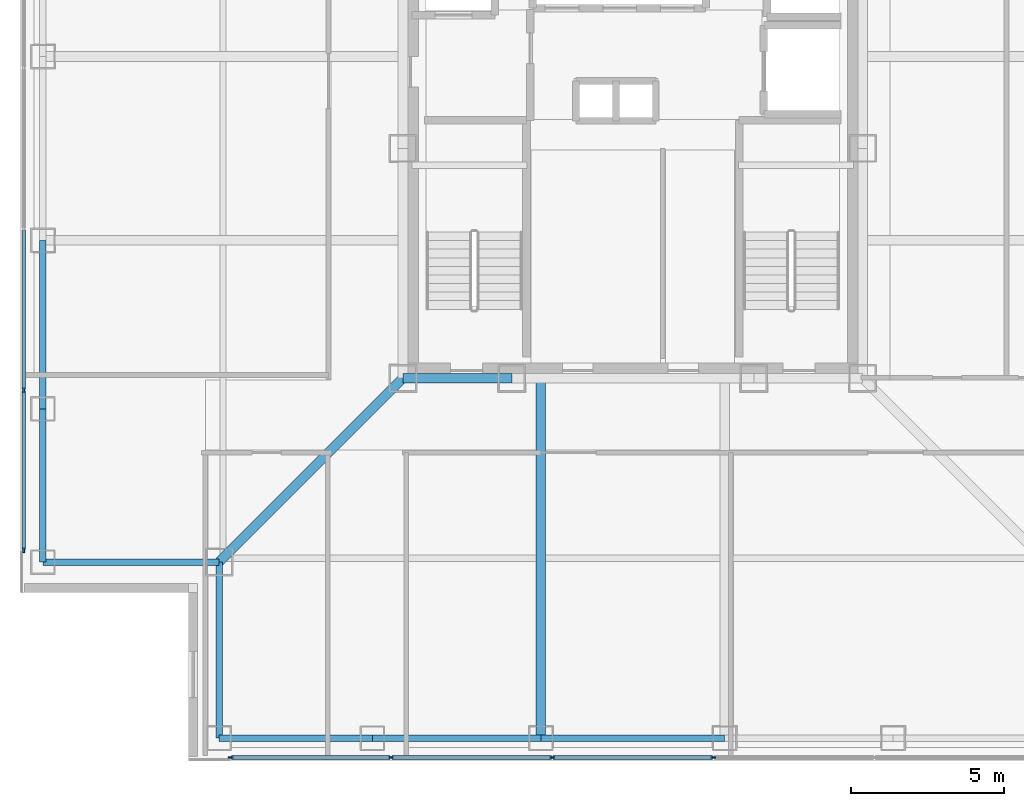
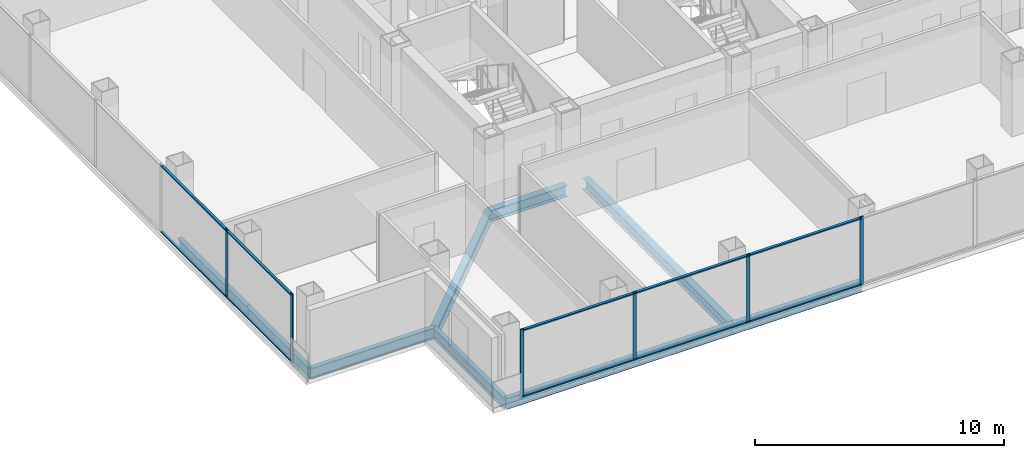
# One storey, part 2 of 18: 16 members, 10 beams, 2 elements without a shape of their own.
"""IFC4 building model written with IfcOpenShell, lengths in metres."""

import ifcopenshell
import ifcopenshell.guid

model = None  # the IFC model being written
_history = None  # IfcOwnerHistory: only IFC2X3 demands one
_inside = {}  # id of a spatial element -> (the spatial element, [elements in it])
_under = {}  # id of a project, library or spatial element -> (it, [spatial elements below it])
_declared = {}  # id of a project -> (the project, [libraries it declares])
_typed = {}  # id of a type object -> (the type object, [elements of that type])
_made_of = {}  # id of a material, layer set ... -> (it, [elements and type objects made of it])


def new_model(schema):
    """Start an empty IFC model of exactly this schema.

    Asked for "IFC4X3", IfcOpenShell would pick the latest addendum, in which some entities
    have other attributes; the version numbers below select the first issue.
    IFC2X3 requires an IfcOwnerHistory on every rooted entity: one is made here for all.
    """
    global model, _history
    if schema == "IFC4X3":
        model = ifcopenshell.file(schema_version=(4, 3, 0, 0))
    else:
        model = ifcopenshell.file(schema=schema)
    _inside.clear()
    _under.clear()
    _declared.clear()
    _typed.clear()
    _made_of.clear()
    _history = None
    if model.schema == "IFC2X3":
        org = make("IfcOrganization", Name="unknown")
        user = make(
            "IfcPersonAndOrganization",
            ThePerson=make("IfcPerson", FamilyName="unknown"),
            TheOrganization=org,
        )
        app = make(
            "IfcApplication",
            ApplicationDeveloper=org,
            Version="unknown",
            ApplicationFullName="unknown",
            ApplicationIdentifier="unknown",
        )
        _history = make(
            "IfcOwnerHistory",
            OwningUser=user,
            OwningApplication=app,
            ChangeAction="ADDED",
            CreationDate=0,
        )
    return model


def make(cls, **values):
    """One entity of the class cls with the attributes given. An attribute that is None is left unset."""
    return model.create_entity(
        cls, **{name: value for name, value in values.items() if value is not None}
    )


def rooted(cls, **values):
    """An entity with a GlobalId (a new one), such as an element, a storey or a relation."""
    return make(cls, GlobalId=ifcopenshell.guid.new(), OwnerHistory=_history, **values)


def si_unit(unit_type, name, prefix=None):
    """IfcSIUnit, for example si_unit("LENGTHUNIT", "METRE", prefix="MILLI")."""
    return make("IfcSIUnit", UnitType=unit_type, Prefix=prefix, Name=name)


def assignment(units):
    """IfcUnitAssignment: the units of a project."""
    return None if units is None else make("IfcUnitAssignment", Units=units)


def point(xyz):
    """IfcCartesianPoint."""
    return None if xyz is None else make("IfcCartesianPoint", Coordinates=xyz)


def direction(xyz):
    """IfcDirection."""
    return None if xyz is None else make("IfcDirection", DirectionRatios=xyz)


def frame(location, z_axis=None, x_axis=None):
    """IfcAxis2Placement3D, a coordinate frame: its origin and axes. An axis left out is left unset."""
    return make(
        "IfcAxis2Placement3D",
        Location=point(location),
        Axis=direction(z_axis),
        RefDirection=direction(x_axis),
    )


def frame_2d(location, x_axis=None):
    """IfcAxis2Placement2D, a coordinate frame in the plane: its origin and x axis."""
    return make(
        "IfcAxis2Placement2D", Location=point(location), RefDirection=direction(x_axis)
    )


def origin():
    """The frame at (0, 0, 0) with its axes left unset."""
    return frame((0.0, 0.0, 0.0))


def origin_2d():
    """The frame at (0, 0) in the plane with its x axis left unset."""
    return frame_2d((0.0, 0.0))


def place(relative_to, where):
    """IfcLocalPlacement: puts the frame where relative to a parent placement (None: the world)."""
    return make(
        "IfcLocalPlacement", PlacementRelTo=relative_to, RelativePlacement=where
    )


def context(
    kind, dimensions, precision=None, world=None, true_north=None, identifier=None
):
    """IfcGeometricRepresentationContext, for example the 3D "Model" context."""
    return make(
        "IfcGeometricRepresentationContext",
        ContextIdentifier=identifier,
        ContextType=kind,
        CoordinateSpaceDimension=dimensions,
        Precision=precision,
        WorldCoordinateSystem=world,
        TrueNorth=true_north,
    )


def subcontext(parent, identifier, kind, view, scale=None):
    """IfcGeometricRepresentationSubContext, for example "Body" below "Model"."""
    return make(
        "IfcGeometricRepresentationSubContext",
        ContextIdentifier=identifier,
        ContextType=kind,
        ParentContext=parent,
        TargetScale=scale,
        TargetView=view,
    )


def project(units=None, contexts=None):
    """IfcProject with its units and contexts."""
    return rooted(
        "IfcProject",
        Name="project",
        RepresentationContexts=contexts,
        UnitsInContext=assignment(units),
    )


def spatial(cls, under=None, at=None, **own):
    """A site, building, storey or space (cls), placed at a placement, below another one or the project."""
    s = rooted(cls, ObjectPlacement=at, **own)
    if under is not None:
        _under.setdefault(under.id(), (under, []))[1].append(s)
    return s


def profile(cls, at=None, kind="AREA", **sizes):
    """A parametric profile (cls). Its sizes go by their IFC names, for example OverallWidth=200.0."""
    return make(cls, ProfileType=kind, Position=at, **sizes)


def rectangle(**sizes):
    """IfcRectangleProfileDef."""
    return profile("IfcRectangleProfileDef", **sizes)


def i_section(**sizes):
    """IfcIShapeProfileDef."""
    return profile("IfcIShapeProfileDef", **sizes)


def extrude(swept, where, along, depth):
    """IfcExtrudedAreaSolid: the profile swept, set in the frame where, extruded along a direction by depth."""
    return make(
        "IfcExtrudedAreaSolid",
        SweptArea=swept,
        Position=where,
        ExtrudedDirection=direction(along),
        Depth=depth,
    )


def shape(context_of_items, identifier, shape_type, items):
    """IfcShapeRepresentation: the items that make up one representation, for example the "Body"."""
    return make(
        "IfcShapeRepresentation",
        ContextOfItems=context_of_items,
        RepresentationIdentifier=identifier,
        RepresentationType=shape_type,
        Items=items,
    )


def material(Name=None, Category=None):
    """IfcMaterial."""
    return make("IfcMaterial", Name=Name, Category=Category)


def layer(
    of_material, thickness, ventilated=None, Name=None, Category=None, Priority=None
):
    """IfcMaterialLayer: one layer of a wall or slab, of a material (None: an air gap)."""
    return make(
        "IfcMaterialLayer",
        Material=of_material,
        LayerThickness=thickness,
        IsVentilated=ventilated,
        Name=Name,
        Category=Category,
        Priority=Priority,
    )


def layer_set(layers, Name=None):
    """IfcMaterialLayerSet."""
    return make("IfcMaterialLayerSet", MaterialLayers=layers, LayerSetName=Name)


def material_profile(
    of_material, cross_section, Name=None, Category=None, Priority=None
):
    """IfcMaterialProfile: a cross section and its material."""
    return make(
        "IfcMaterialProfile",
        Name=Name,
        Material=of_material,
        Profile=cross_section,
        Priority=Priority,
        Category=Category,
    )


def profile_set(profiles, Name=None, composite=None):
    """IfcMaterialProfileSet."""
    return make(
        "IfcMaterialProfileSet",
        Name=Name,
        MaterialProfiles=profiles,
        CompositeProfile=composite,
    )


def made_of(thing, what):
    """Note that an element or type object is made of a material, layer set ...; save() writes the relation."""
    if what is not None:
        _made_of.setdefault(what.id(), (what, []))[1].append(thing)
    return thing


def type_object(cls, material=None, **own):
    """A type object (cls), such as IfcWallType, which elements share."""
    return made_of(rooted(cls, **own), material)


def element(
    cls,
    number,
    at=None,
    inside=None,
    cuts=None,
    type_object=None,
    material=None,
    context=None,
    identifier="Body",
    shape_type=None,
    held_by="IfcProductDefinitionShape",
    body=None,
    shapes=None,
    **own,
):
    """One element of the class cls, such as IfcWall. Its Tag is "e" and its number.

    at: its placement. inside: the storey or other place that contains it. cuts: it is an
    opening in that element (IfcRelVoidsElement). A single representation is given by context,
    identifier, shape_type and body (its items); several are given by shapes. held_by: the class
    of the entity that holds the representations. save() writes the other relations.
    """
    e = rooted(cls, Tag="e%d" % number, ObjectPlacement=at, **own)
    if body is not None:
        shapes = [shape(context, identifier, shape_type, body)]
    if shapes is not None:
        e.Representation = make(held_by, Representations=shapes)
    if inside is not None:
        _inside.setdefault(inside.id(), (inside, []))[1].append(e)
    if cuts is not None:
        rooted(
            "IfcRelVoidsElement", RelatingBuildingElement=cuts, RelatedOpeningElement=e
        )
    if type_object is not None:
        _typed.setdefault(type_object.id(), (type_object, []))[1].append(e)
    return made_of(e, material)


def aggregate(whole, parts):
    """IfcRelAggregates: a whole, such as a stair, and the parts it consists of."""
    return rooted("IfcRelAggregates", RelatingObject=whole, RelatedObjects=parts)


def save(model, path):
    """Write the relations noted so far, then the file.

    IfcRelAggregates (storeys below a building ...), IfcRelContainedInSpatialStructure (elements
    in a storey), IfcRelDefinesByType, IfcRelAssociatesMaterial and IfcRelDeclares: one each for
    every whole, place, type object, material and project.
    """
    for whole, parts in _under.values():
        aggregate(whole, parts)
    for where, things in _inside.values():
        rooted(
            "IfcRelContainedInSpatialStructure",
            RelatedElements=things,
            RelatingStructure=where,
        )
    for kind, things in _typed.values():
        rooted("IfcRelDefinesByType", RelatedObjects=things, RelatingType=kind)
    for what, things in _made_of.values():
        rooted("IfcRelAssociatesMaterial", RelatedObjects=things, RelatingMaterial=what)
    for by, libraries in _declared.values():
        rooted("IfcRelDeclares", RelatingContext=by, RelatedDefinitions=libraries)
    model.write(path)


model = new_model("IFC4")

# Units and contexts
model_context = context("Model", 3, precision=1e-05, world=origin(), true_north=direction((0.0, 1.0)))
body_context = subcontext(model_context, "Body", "Model", "MODEL_VIEW")
ifc_project = project(units=[si_unit("LENGTHUNIT", "METRE"), si_unit("AREAUNIT", "SQUARE_METRE"), si_unit("VOLUMEUNIT", "CUBIC_METRE"), si_unit("PLANEANGLEUNIT", "RADIAN"), si_unit("MASSUNIT", "GRAM", prefix="KILO")], contexts=[model_context])

# Site, building, storey
site_placement = place(None, origin())
site = spatial("IfcSite", under=ifc_project, at=site_placement, CompositionType="ELEMENT")
building_placement = place(site_placement, origin())
building = spatial("IfcBuilding", under=site, at=building_placement, Name="Trevonay Congress Spire", CompositionType="ELEMENT")
storey_placement = place(building_placement, frame((0.0, 0.0, 198.60009765625)))
storey = spatial("IfcBuildingStorey", under=building, at=storey_placement, Name="L51", CompositionType="ELEMENT", Elevation=198.60009765625)

# Beams
ifc_material_1 = material(Name="Steel ASTM A572 Grade 50", Category="steel")
ifc_material_profile_1 = material_profile(ifc_material_1, i_section(OverallWidth=0.31201171875, OverallDepth=0.54296875, WebThickness=0.0126953125, FlangeThickness=0.020263671875, FilletRadius=0.014892578125, at=origin_2d()), Name="W530x150")
ifc_profile_set_1 = profile_set([ifc_material_profile_1], Name="Steel ASTM A572 Grade 50")
beam_type_1 = type_object("IfcBeamType", Name="BM-GIRD-W530X150", PredefinedType="BEAM", material=ifc_profile_set_1)
beam_1_placement = place(storey_placement, frame((-7.5, -7.5, -0.51171875), z_axis=(1.0, 0.0, 0.0), x_axis=(0.0, 1.0, 0.0)))
element("IfcBeam", 1, at=beam_1_placement, inside=storey, type_object=beam_type_1, Name="L51 structural beam BM-L51-CR-S1", PredefinedType="BEAM", context=body_context, shape_type="SweptSolid", body=[
    extrude(i_section(OverallWidth=0.31201171875, OverallDepth=0.54296875, WebThickness=0.0126953125, FlangeThickness=0.020263671875, FilletRadius=0.014892578125, at=origin_2d()), origin(), (0.0, 0.0, 1.0), 3.550048828125),
])
beam_2_placement = place(storey_placement, frame((-7.5, -7.5, -0.51171875), z_axis=(-0.707106781187, -0.707106781187, 0.0), x_axis=(0.707106781187, -0.707106781187, 0.0)))
element("IfcBeam", 2, at=beam_2_placement, inside=storey, type_object=beam_type_1, Name="L51 structural beam BM-L51-CDSW", PredefinedType="BEAM", context=body_context, shape_type="SweptSolid", body=[
    extrude(i_section(OverallWidth=0.31201171875, OverallDepth=0.54296875, WebThickness=0.0126953125, FlangeThickness=0.020263671875, FilletRadius=0.014892578125, at=origin_2d()), origin(), (0.0, 0.0, 1.0), 8.4853515625),
])
beam_3_placement = place(storey_placement, frame((-3.0, -7.5, -0.51171875), z_axis=(0.0, -1.0, 0.0), x_axis=(1.0, 0.0, 0.0)))
element("IfcBeam", 3, at=beam_3_placement, inside=storey, type_object=beam_type_1, Name="L51 structural beam BM-L51-GS-M", PredefinedType="BEAM", context=body_context, shape_type="SweptSolid", body=[
    extrude(i_section(OverallWidth=0.31201171875, OverallDepth=0.54296875, WebThickness=0.0126953125, FlangeThickness=0.020263671875, FilletRadius=0.014892578125, at=origin_2d()), origin(), (0.0, 0.0, 1.0), 11.75),
])
ifc_material_profile_2 = material_profile(ifc_material_1, i_section(OverallWidth=0.2119140625, OverallDepth=0.5439453125, WebThickness=0.01318359375, FlangeThickness=0.021240234375, FilletRadius=0.014892578125, at=origin_2d()), Name="W530x123")
ifc_profile_set_2 = profile_set([ifc_material_profile_2], Name="Steel ASTM A572 Grade 50")
beam_type_2 = type_object("IfcBeamType", Name="BM-RING-W530X123", PredefinedType="BEAM", material=ifc_profile_set_2)
for number, where, z_axis, x_axis, name in (
    (4, (-13.5, -19.25, -0.51220703125), (1.0, 0.0, 0.0), (0.0, 1.0, 0.0), "L51 structural beam BM-L51-PS1"),
    (5, (-19.25, -13.5, -0.51220703125), (0.0, 1.0, 0.0), (-1.0, 0.0, 0.0), "L51 structural beam BM-L51-PW1"),
):
    element("IfcBeam", number, at=place(storey_placement, frame(where, z_axis=z_axis, x_axis=x_axis)), inside=storey, type_object=beam_type_2, Name=name, PredefinedType="BEAM", context=body_context, shape_type="SweptSolid", body=[
        extrude(i_section(OverallWidth=0.2119140625, OverallDepth=0.5439453125, WebThickness=0.01318359375, FlangeThickness=0.021240234375, FilletRadius=0.014892578125, at=origin_2d()), origin(), (0.0, 0.0, 1.0), 5.0),
    ])
for number, where, z_axis, x_axis, name in (
    (6, (-8.5, -19.25, -0.51220703125), (1.0, 0.0, 0.0), (0.0, 1.0, 0.0), "L51 structural beam BM-L51-PS2"),
    (7, (-19.25, -8.5, -0.51220703125), (0.0, 1.0, 0.0), (-1.0, 0.0, 0.0), "L51 structural beam BM-L51-PW2"),
):
    element("IfcBeam", number, at=place(storey_placement, frame(where, z_axis=z_axis, x_axis=x_axis)), inside=storey, type_object=beam_type_2, Name=name, PredefinedType="BEAM", context=body_context, shape_type="SweptSolid", body=[
        extrude(i_section(OverallWidth=0.2119140625, OverallDepth=0.5439453125, WebThickness=0.01318359375, FlangeThickness=0.021240234375, FilletRadius=0.014892578125, at=origin_2d()), origin(), (0.0, 0.0, 1.0), 5.5),
    ])
beam_4_placement = place(storey_placement, frame((-3.0, -19.25, -0.51220703125), z_axis=(1.0, 0.0, 0.0), x_axis=(0.0, 1.0, 0.0)))
element("IfcBeam", 8, at=beam_4_placement, inside=storey, type_object=beam_type_2, Name="L51 structural beam BM-L51-PS3", PredefinedType="BEAM", context=body_context, shape_type="SweptSolid", body=[
    extrude(i_section(OverallWidth=0.2119140625, OverallDepth=0.5439453125, WebThickness=0.01318359375, FlangeThickness=0.021240234375, FilletRadius=0.014892578125, at=origin_2d()), origin(), (0.0, 0.0, 1.0), 6.0),
])
for number, where, z_axis, x_axis, name in (
    (9, (-13.5, -19.25, -0.51220703125), (0.0, 1.0, 0.0), (-1.0, 0.0, 0.0), "L51 structural beam BM-L51-N1SW"),
    (10, (-19.25, -13.5, -0.51220703125), (1.0, 0.0, 0.0), (0.0, 1.0, 0.0), "L51 structural beam BM-L51-N2SW"),
):
    element("IfcBeam", number, at=place(storey_placement, frame(where, z_axis=z_axis, x_axis=x_axis)), inside=storey, type_object=beam_type_2, Name=name, PredefinedType="BEAM", context=body_context, shape_type="SweptSolid", body=[
        extrude(i_section(OverallWidth=0.2119140625, OverallDepth=0.5439453125, WebThickness=0.01318359375, FlangeThickness=0.021240234375, FilletRadius=0.014892578125, at=origin_2d()), origin(), (0.0, 0.0, 1.0), 5.75),
    ])

# Curtain wall, members
ifc_material_2 = material(Name="Pale Anodised Aluminium EN AW-6063-T6", Category="aluminium")
ifc_layer = layer(ifc_material_2, 0.169921875, Name="Pale Anodised Aluminium EN AW-6063-T6")
ifc_layer_set = layer_set([ifc_layer], Name="Pale Anodised Aluminium EN AW-6063-T6")
curtain_wall_type = type_object("IfcCurtainWallType", Name="CW-SYS04-CORP-PALE-METAL", PredefinedType="NOTDEFINED", material=ifc_layer_set)
curtain_wall_1_placement = place(storey_placement, origin())
curtain_wall_1 = element("IfcCurtainWall", 11, at=curtain_wall_1_placement, inside=storey, type_object=curtain_wall_type, Name="L51 S unitised curtain wall", PredefinedType="NOTDEFINED")
ifc_material_profile_3 = material_profile(ifc_material_2, rectangle(XDim=0.06005859375, YDim=0.159912109375, at=origin_2d()), Name="CW-MULLION-160-ALUMINIUM")
ifc_profile_set_3 = profile_set([ifc_material_profile_3], Name="Pale Anodised Aluminium EN AW-6063-T6")
member_type_1 = type_object("IfcMemberType", Name="CW-MULLION-160-ALUMINIUM", PredefinedType="MULLION", material=ifc_profile_set_3)
member_1_placement = place(storey_placement, frame((-13.1201171875, -19.8798828125, 0.0), z_axis=(0.0, 0.0, 1.0), x_axis=(0.0, 1.0, 0.0)))
member_1 = element("IfcMember", 12, at=member_1_placement, type_object=member_type_1, Name="CW04 mullion 1", PredefinedType="MULLION", context=body_context, shape_type="SweptSolid", body=[
    extrude(rectangle(XDim=0.06005859375, YDim=0.159912109375, at=origin_2d()), origin(), (0.0, 0.0, 1.0), 3.35986328125),
])
member_2_placement = place(storey_placement, frame((-7.889892578125, -19.8798828125, 0.0), z_axis=(0.0, 0.0, 1.0), x_axis=(0.0, 1.0, 0.0)))
member_2 = element("IfcMember", 13, at=member_2_placement, type_object=member_type_1, Name="CW04 mullion 2", PredefinedType="MULLION", context=body_context, shape_type="SweptSolid", body=[
    extrude(rectangle(XDim=0.06005859375, YDim=0.159912109375, at=origin_2d()), origin(), (0.0, 0.0, 1.0), 3.35986328125),
])
member_3_placement = place(storey_placement, frame((-2.6298828125, -19.8798828125, 0.0), z_axis=(0.0, 0.0, 1.0), x_axis=(0.0, 1.0, 0.0)))
member_3 = element("IfcMember", 14, at=member_3_placement, type_object=member_type_1, Name="CW04 mullion 3", PredefinedType="MULLION", context=body_context, shape_type="SweptSolid", body=[
    extrude(rectangle(XDim=0.06005859375, YDim=0.159912109375, at=origin_2d()), origin(), (0.0, 0.0, 1.0), 3.35986328125),
])
member_4_placement = place(storey_placement, frame((2.6298828125, -19.8798828125, 0.0), z_axis=(0.0, 0.0, 1.0), x_axis=(0.0, 1.0, 0.0)))
member_4 = element("IfcMember", 15, at=member_4_placement, type_object=member_type_1, Name="CW04 mullion 4", PredefinedType="MULLION", context=body_context, shape_type="SweptSolid", body=[
    extrude(rectangle(XDim=0.06005859375, YDim=0.159912109375, at=origin_2d()), origin(), (0.0, 0.0, 1.0), 3.35986328125),
])

curtain_wall_2_placement = place(storey_placement, origin())
curtain_wall_2 = element("IfcCurtainWall", 16, at=curtain_wall_2_placement, inside=storey, type_object=curtain_wall_type, Name="L51 W unitised curtain wall", PredefinedType="NOTDEFINED")
member_5_placement = place(storey_placement, frame((-19.8798828125, -13.1201171875, 0.0), z_axis=(0.0, 0.0, 1.0), x_axis=(-1.0, 0.0, 0.0)))
member_5 = element("IfcMember", 17, at=member_5_placement, type_object=member_type_1, Name="CW04 mullion 1", PredefinedType="MULLION", context=body_context, shape_type="SweptSolid", body=[
    extrude(rectangle(XDim=0.06005859375, YDim=0.159912109375, at=origin_2d()), origin(), (0.0, 0.0, 1.0), 3.35986328125),
])
member_6_placement = place(storey_placement, frame((-19.8798828125, -7.889892578125, 0.0), z_axis=(0.0, 0.0, 1.0), x_axis=(-1.0, 0.0, 0.0)))
member_6 = element("IfcMember", 18, at=member_6_placement, type_object=member_type_1, Name="CW04 mullion 2", PredefinedType="MULLION", context=body_context, shape_type="SweptSolid", body=[
    extrude(rectangle(XDim=0.06005859375, YDim=0.159912109375, at=origin_2d()), origin(), (0.0, 0.0, 1.0), 3.35986328125),
])

# Member
ifc_material_profile_4 = material_profile(ifc_material_2, rectangle(XDim=0.1201171875, YDim=0.06005859375, at=origin_2d()), Name="CW-TRANSOM-120-ALUMINIUM")
ifc_profile_set_4 = profile_set([ifc_material_profile_4], Name="Pale Anodised Aluminium EN AW-6063-T6")
member_type_2 = type_object("IfcMemberType", Name="CW-TRANSOM-120-ALUMINIUM", PredefinedType="USERDEFINED", material=ifc_profile_set_4)
member_7_placement = place(storey_placement, frame((-13.090087890625, -19.8798828125, 0.059814453125), z_axis=(1.0, 0.0, 0.0), x_axis=(0.0, 1.0, 0.0)))
member_7 = element("IfcMember", 19, at=member_7_placement, type_object=member_type_2, Name="CW04 transom 1.1", ObjectType="TRANSOM", PredefinedType="USERDEFINED", context=body_context, shape_type="SweptSolid", body=[
    extrude(rectangle(XDim=0.1201171875, YDim=0.06005859375, at=origin_2d()), origin(), (0.0, 0.0, 1.0), 5.170166015625),
])

member_8_placement = place(storey_placement, frame((-13.090087890625, -19.8798828125, 3.2998046875), z_axis=(1.0, 0.0, 0.0), x_axis=(0.0, 1.0, 0.0)))
member_8 = element("IfcMember", 20, at=member_8_placement, type_object=member_type_2, Name="CW04 transom 1.2", ObjectType="TRANSOM", PredefinedType="USERDEFINED", context=body_context, shape_type="SweptSolid", body=[
    extrude(rectangle(XDim=0.1201171875, YDim=0.06005859375, at=origin_2d()), origin(), (0.0, 0.0, 1.0), 5.170166015625),
])

member_9_placement = place(storey_placement, frame((-7.860107421875, -19.8798828125, 0.059814453125), z_axis=(1.0, 0.0, 0.0), x_axis=(0.0, 1.0, 0.0)))
member_9 = element("IfcMember", 21, at=member_9_placement, type_object=member_type_2, Name="CW04 transom 2.1", ObjectType="TRANSOM", PredefinedType="USERDEFINED", context=body_context, shape_type="SweptSolid", body=[
    extrude(rectangle(XDim=0.1201171875, YDim=0.06005859375, at=origin_2d()), origin(), (0.0, 0.0, 1.0), 5.2001953125),
])

member_10_placement = place(storey_placement, frame((-7.860107421875, -19.8798828125, 3.2998046875), z_axis=(1.0, 0.0, 0.0), x_axis=(0.0, 1.0, 0.0)))
member_10 = element("IfcMember", 22, at=member_10_placement, type_object=member_type_2, Name="CW04 transom 2.2", ObjectType="TRANSOM", PredefinedType="USERDEFINED", context=body_context, shape_type="SweptSolid", body=[
    extrude(rectangle(XDim=0.1201171875, YDim=0.06005859375, at=origin_2d()), origin(), (0.0, 0.0, 1.0), 5.2001953125),
])

member_11_placement = place(storey_placement, frame((-2.60009765625, -19.8798828125, 0.059814453125), z_axis=(1.0, 0.0, 0.0), x_axis=(0.0, 1.0, 0.0)))
member_11 = element("IfcMember", 23, at=member_11_placement, type_object=member_type_2, Name="CW04 transom 3.1", ObjectType="TRANSOM", PredefinedType="USERDEFINED", context=body_context, shape_type="SweptSolid", body=[
    extrude(rectangle(XDim=0.1201171875, YDim=0.06005859375, at=origin_2d()), origin(), (0.0, 0.0, 1.0), 5.2001953125),
])

member_12_placement = place(storey_placement, frame((-2.60009765625, -19.8798828125, 3.2998046875), z_axis=(1.0, 0.0, 0.0), x_axis=(0.0, 1.0, 0.0)))
member_12 = element("IfcMember", 24, at=member_12_placement, type_object=member_type_2, Name="CW04 transom 3.2", ObjectType="TRANSOM", PredefinedType="USERDEFINED", context=body_context, shape_type="SweptSolid", body=[
    extrude(rectangle(XDim=0.1201171875, YDim=0.06005859375, at=origin_2d()), origin(), (0.0, 0.0, 1.0), 5.2001953125),
])

aggregate(curtain_wall_1, [member_1, member_2, member_3, member_4, member_7, member_8, member_9, member_10, member_11, member_12])

member_13_placement = place(storey_placement, frame((-19.8798828125, -13.090087890625, 0.059814453125), z_axis=(0.0, 1.0, 0.0), x_axis=(-1.0, 0.0, 0.0)))
member_13 = element("IfcMember", 25, at=member_13_placement, type_object=member_type_2, Name="CW04 transom 1.1", ObjectType="TRANSOM", PredefinedType="USERDEFINED", context=body_context, shape_type="SweptSolid", body=[
    extrude(rectangle(XDim=0.1201171875, YDim=0.06005859375, at=origin_2d()), origin(), (0.0, 0.0, 1.0), 5.170166015625),
])

member_14_placement = place(storey_placement, frame((-19.8798828125, -13.090087890625, 3.2998046875), z_axis=(0.0, 1.0, 0.0), x_axis=(-1.0, 0.0, 0.0)))
member_14 = element("IfcMember", 26, at=member_14_placement, type_object=member_type_2, Name="CW04 transom 1.2", ObjectType="TRANSOM", PredefinedType="USERDEFINED", context=body_context, shape_type="SweptSolid", body=[
    extrude(rectangle(XDim=0.1201171875, YDim=0.06005859375, at=origin_2d()), origin(), (0.0, 0.0, 1.0), 5.170166015625),
])

member_15_placement = place(storey_placement, frame((-19.8798828125, -7.860107421875, 0.059814453125), z_axis=(0.0, 1.0, 0.0), x_axis=(-1.0, 0.0, 0.0)))
member_15 = element("IfcMember", 27, at=member_15_placement, type_object=member_type_2, Name="CW04 transom 2.1", ObjectType="TRANSOM", PredefinedType="USERDEFINED", context=body_context, shape_type="SweptSolid", body=[
    extrude(rectangle(XDim=0.1201171875, YDim=0.06005859375, at=origin_2d()), origin(), (0.0, 0.0, 1.0), 5.2001953125),
])

member_16_placement = place(storey_placement, frame((-19.8798828125, -7.860107421875, 3.2998046875), z_axis=(0.0, 1.0, 0.0), x_axis=(-1.0, 0.0, 0.0)))
member_16 = element("IfcMember", 28, at=member_16_placement, type_object=member_type_2, Name="CW04 transom 2.2", ObjectType="TRANSOM", PredefinedType="USERDEFINED", context=body_context, shape_type="SweptSolid", body=[
    extrude(rectangle(XDim=0.1201171875, YDim=0.06005859375, at=origin_2d()), origin(), (0.0, 0.0, 1.0), 5.2001953125),
])

aggregate(curtain_wall_2, [member_5, member_6, member_13, member_14, member_15, member_16])

save(model, "model.ifc")
